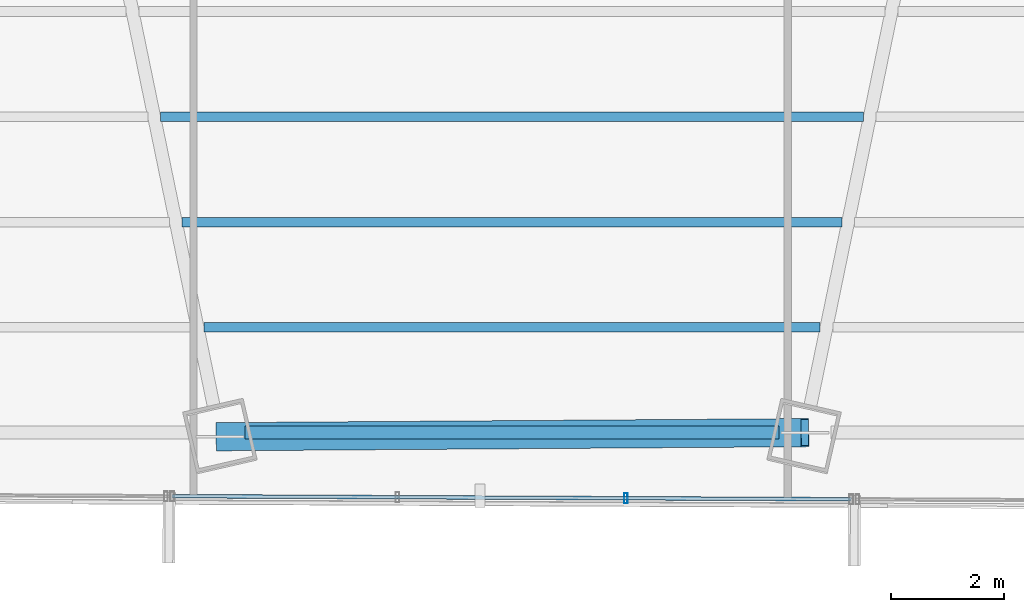
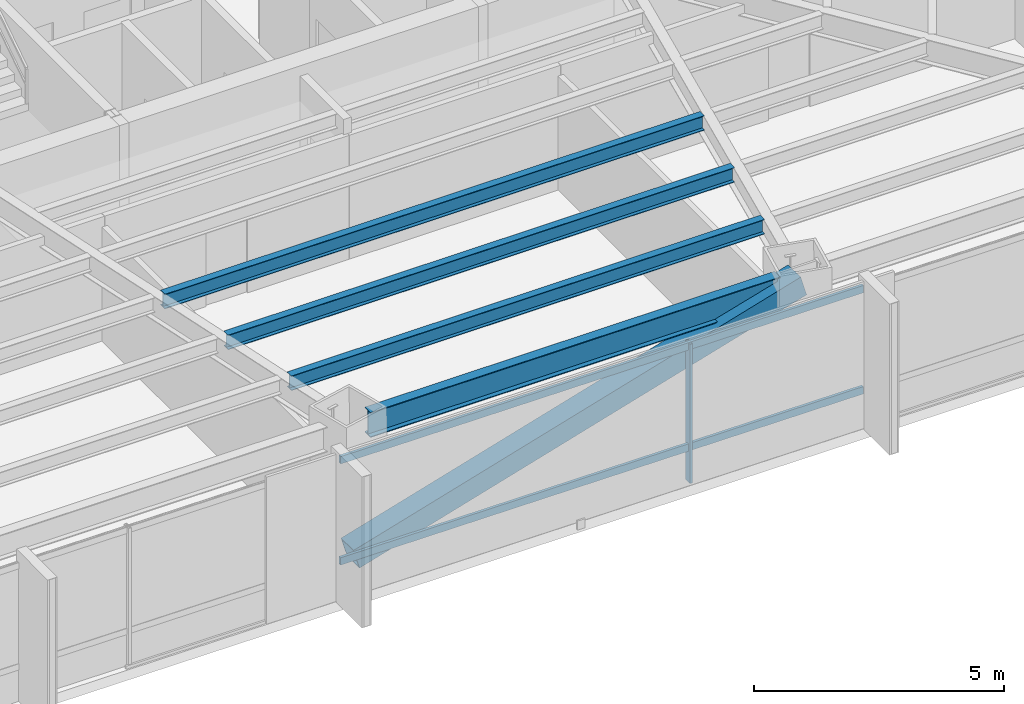
# One storey, part 10 of 35: 4 beams, 4 members, 1 element without a shape of its own.
"""IFC4 building model written with IfcOpenShell, lengths in metres."""

from ifc_helpers import new_model, si_unit, direction, frame, origin, origin_2d, place, context, subcontext, project, spatial, hollow_rectangle, i_section, extrude, source, transform, mapped, material, material_profile, profile_set, type_object, type_shapes, element, aggregate, save


model = new_model("IFC4")

# Units and contexts
model_context = context("Model", 3, precision=1e-05, world=origin(), true_north=direction((0.0, 1.0)))
body_context = subcontext(model_context, "Body", "Model", "MODEL_VIEW")
ifc_project = project(units=[si_unit("LENGTHUNIT", "METRE"), si_unit("AREAUNIT", "SQUARE_METRE"), si_unit("VOLUMEUNIT", "CUBIC_METRE"), si_unit("PLANEANGLEUNIT", "RADIAN"), si_unit("MASSUNIT", "GRAM", prefix="KILO")], contexts=[model_context])

# Site, building, storey
site_placement = place(None, origin())
site = spatial("IfcSite", under=ifc_project, at=site_placement, CompositionType="ELEMENT")
building_placement = place(site_placement, origin())
building = spatial("IfcBuilding", under=site, at=building_placement, Name="Caelisora Broadcast Tower", CompositionType="ELEMENT")
storey_placement = place(building_placement, frame((0.0, 0.0, 94.449951171875)))
storey = spatial("IfcBuildingStorey", under=building, at=storey_placement, Name="L24", CompositionType="ELEMENT", Elevation=94.449951171875)

# Beams
ifc_material_1 = material(Name="Steel Grade 350 (AS/NZS 3679.1)", Category="steel")
ifc_material_profile_1 = material_profile(ifc_material_1, i_section(OverallWidth=0.22900390625, OverallDepth=0.611572265625, WebThickness=0.011962890625, FlangeThickness=0.01953125, at=origin_2d()), Name="Steel Grade 350 (AS/NZS 3679.1)")
ifc_profile_set_1 = profile_set([ifc_material_profile_1], Name="Steel Grade 350 (AS/NZS 3679.1)")
beam_type_1 = type_object("IfcBeamType", Name="PG03", PredefinedType="BEAM", material=ifc_profile_set_1)
shared_shape_1 = source(origin(), body_context, "Body", "SweptSolid", [
    extrude(i_section(OverallWidth=0.22900390625, OverallDepth=0.611572265625, WebThickness=0.011962890625, FlangeThickness=0.01953125, at=origin_2d()), origin(), (0.0, 0.0, 1.0), 9.4677734375),
])
type_shapes(beam_type_1, [shared_shape_1])
beam_1_placement = place(storey_placement, frame((33.26611328125, 6.1962890625, 3.09423828125), z_axis=(1.0, 0.0, 0.0), x_axis=(0.0, 1.0, 0.0)))
element("IfcBeam", 1, at=beam_1_placement, inside=storey, type_object=beam_type_1, Name="L24 beam PG03", PredefinedType="BEAM", context=body_context, shape_type="MappedRepresentation", body=[
    mapped(shared_shape_1, transform((0.0, 0.0, 0.0), scale=1.0)),
])
ifc_material_profile_2 = material_profile(ifc_material_1, i_section(OverallWidth=0.172119140625, OverallDepth=0.358642578125, WebThickness=0.008056640625, FlangeThickness=0.012939453125, at=origin_2d()), Name="Steel Grade 350 (AS/NZS 3679.1)")
ifc_profile_set_2 = profile_set([ifc_material_profile_2], Name="Steel Grade 350 (AS/NZS 3679.1)")
beam_type_2 = type_object("IfcBeamType", Name="SB02", PredefinedType="JOIST", material=ifc_profile_set_2)
shared_shape_2 = source(origin(), body_context, "Body", "SweptSolid", [
    extrude(i_section(OverallWidth=0.172119140625, OverallDepth=0.358642578125, WebThickness=0.008056640625, FlangeThickness=0.012939453125, at=origin_2d()), origin(), (0.0, 0.0, 1.0), 12.46728515625),
])
beam_2_placement = place(storey_placement, frame((31.766357421875, 11.798095703125, 3.220703125), z_axis=(1.0, 0.0, 0.0), x_axis=(0.0, 1.0, 0.0)))
element("IfcBeam", 2, at=beam_2_placement, inside=storey, type_object=beam_type_2, Name="L24 beam SB02", PredefinedType="JOIST", context=body_context, shape_type="MappedRepresentation", body=[
    mapped(shared_shape_2, transform((0.0, 0.0, 0.0), scale=1.0)),
])
shared_shape_3 = source(origin(), body_context, "Body", "SweptSolid", [
    extrude(i_section(OverallWidth=0.172119140625, OverallDepth=0.358642578125, WebThickness=0.008056640625, FlangeThickness=0.012939453125, at=origin_2d()), origin(), (0.0, 0.0, 1.0), 11.69873046875),
])
beam_3_placement = place(storey_placement, frame((32.150634765625, 9.930908203125, 3.220703125), z_axis=(1.0, 0.0, 0.0), x_axis=(0.0, 1.0, 0.0)))
element("IfcBeam", 3, at=beam_3_placement, inside=storey, type_object=beam_type_2, Name="L24 beam SB02", PredefinedType="JOIST", context=body_context, shape_type="MappedRepresentation", body=[
    mapped(shared_shape_3, transform((0.0, 0.0, 0.0), scale=1.0)),
])
shared_shape_4 = source(origin(), body_context, "Body", "SweptSolid", [
    extrude(i_section(OverallWidth=0.172119140625, OverallDepth=0.358642578125, WebThickness=0.008056640625, FlangeThickness=0.012939453125, at=origin_2d()), origin(), (0.0, 0.0, 1.0), 10.9296875),
])
type_shapes(beam_type_2, [shared_shape_2, shared_shape_3, shared_shape_4])
beam_4_placement = place(storey_placement, frame((32.53515625, 8.063720703125, 3.220703125), z_axis=(1.0, 0.0, 0.0), x_axis=(0.0, 1.0, 0.0)))
element("IfcBeam", 4, at=beam_4_placement, inside=storey, type_object=beam_type_2, Name="L24 beam SB02", PredefinedType="JOIST", context=body_context, shape_type="MappedRepresentation", body=[
    mapped(shared_shape_4, transform((0.0, 0.0, 0.0), scale=1.0)),
])

# Member
ifc_material_2 = material(Name="Steel Grade 450 L15 (AS/NZS 3678)", Category="steel")
ifc_material_profile_3 = material_profile(ifc_material_2, hollow_rectangle(XDim=0.5, YDim=0.5, WallThickness=0.02001953125, at=origin_2d()), Name="Steel Grade 450 L15 (AS/NZS 3678)")
ifc_profile_set_3 = profile_set([ifc_material_profile_3], Name="Steel Grade 450 L15 (AS/NZS 3678)")
member_type_1 = type_object("IfcMemberType", Name="BR02", PredefinedType="BRACE", material=ifc_profile_set_3)
shared_shape_5 = source(origin(), body_context, "Body", "SweptSolid", [
    extrude(hollow_rectangle(XDim=0.5, YDim=0.5, WallThickness=0.02001953125, at=origin_2d()), origin(), (0.0, 0.0, 1.0), 10.796875),
])
type_shapes(member_type_1, [shared_shape_5])
member_1_placement = place(storey_placement, frame((32.822509765625, 6.1240234375, 0.10009765625), z_axis=(0.960599626637, 0.006693128607, 0.277855284876), x_axis=(-0.006967487762, 0.999975726763, 0.0)))
element("IfcMember", 5, at=member_1_placement, inside=storey, type_object=member_type_1, Name="L24 perimeter brace BR02", PredefinedType="BRACE", context=body_context, shape_type="MappedRepresentation", body=[
    mapped(shared_shape_5, transform((0.0, 0.0, 0.0), scale=1.0)),
])

# Curtain wall, members
ifc_material_3 = material(Name="Unitised Aluminium Insulated Shadow-Box Spandrel Curtain Wall", Category="aluminium")
curtain_wall_type = type_object("IfcCurtainWallType", Name="CW-SP1", PredefinedType="NOTDEFINED", material=ifc_material_3)
curtain_wall_placement = place(storey_placement, origin())
curtain_wall = element("IfcCurtainWall", 6, at=curtain_wall_placement, inside=storey, type_object=curtain_wall_type, Name="L24 curtain wall CW-SP1", PredefinedType="NOTDEFINED")
ifc_material_4 = material(Name="Aluminium 6063-T6 Anodised Terracotta Bronze", Category="aluminium")
ifc_material_profile_4 = material_profile(ifc_material_4, hollow_rectangle(XDim=0.06494140625, YDim=0.179931640625, WallThickness=0.00341796875, at=origin_2d()), Name="Aluminium 6063-T6 Anodised Terracotta Bronze")
ifc_profile_set_4 = profile_set([ifc_material_profile_4], Name="Aluminium 6063-T6 Anodised Terracotta Bronze")
member_type_2 = type_object("IfcMemberType", Name="CWT-01", PredefinedType="USERDEFINED", material=ifc_profile_set_4)
shared_shape_6 = source(origin(), body_context, "Body", "SweptSolid", [
    extrude(hollow_rectangle(XDim=0.06494140625, YDim=0.179931640625, WallThickness=0.00341796875, at=origin_2d()), origin(), (0.0, 0.0, 1.0), 12.045166015625),
])
type_shapes(member_type_2, [shared_shape_6])
member_2_placement = place(storey_placement, frame((44.017578125, 5.014892578125, 0.85009765625), z_axis=(-0.999989600789, 0.004560516868, 0.0), x_axis=(-0.004560516868, -0.999989600789, 0.0)))
member_2 = element("IfcMember", 7, at=member_2_placement, type_object=member_type_2, Name="L24-CW-B06 transom #1", ObjectType="TRANSOM", PredefinedType="USERDEFINED", context=body_context, shape_type="MappedRepresentation", body=[
    mapped(shared_shape_6, transform((0.0, 0.0, 0.0), scale=1.0)),
])
member_3_placement = place(storey_placement, frame((44.017578125, 5.014892578125, 3.320068359375), z_axis=(-0.999989600789, 0.004560516868, 0.0), x_axis=(-0.004560516868, -0.999989600789, 0.0)))
member_3 = element("IfcMember", 8, at=member_3_placement, type_object=member_type_2, Name="L24-CW-B06 transom #2", ObjectType="TRANSOM", PredefinedType="USERDEFINED", context=body_context, shape_type="MappedRepresentation", body=[
    mapped(shared_shape_6, transform((0.0, 0.0, 0.0), scale=1.0)),
])
ifc_material_profile_5 = material_profile(ifc_material_4, hollow_rectangle(XDim=0.06494140625, YDim=0.179931640625, WallThickness=0.00341796875, at=origin_2d()), Name="Aluminium 6063-T6 Anodised Terracotta Bronze")
ifc_profile_set_5 = profile_set([ifc_material_profile_5], Name="Aluminium 6063-T6 Anodised Terracotta Bronze")
member_type_3 = type_object("IfcMemberType", Name="CWM-02", PredefinedType="MULLION", material=ifc_profile_set_5)
shared_shape_7 = source(origin(), body_context, "Body", "SweptSolid", [
    extrude(hollow_rectangle(XDim=0.06494140625, YDim=0.179931640625, WallThickness=0.00341796875, at=origin_2d()), origin(), (0.0, 0.0, 1.0), 3.400146484375),
])
type_shapes(member_type_3, [shared_shape_7])
member_4_placement = place(storey_placement, frame((40.019287109375, 5.033203125, 0.0), z_axis=(0.0, 0.0, 1.0), x_axis=(1.0, 0.0, 0.0)))
member_4 = element("IfcMember", 9, at=member_4_placement, type_object=member_type_3, Name="L24-CW-B06 mullion #1", PredefinedType="MULLION", context=body_context, shape_type="MappedRepresentation", body=[
    mapped(shared_shape_7, transform((0.0, 0.0, 0.0), scale=1.0)),
])
aggregate(curtain_wall, [member_4, member_2, member_3])

save(model, "model.ifc")
